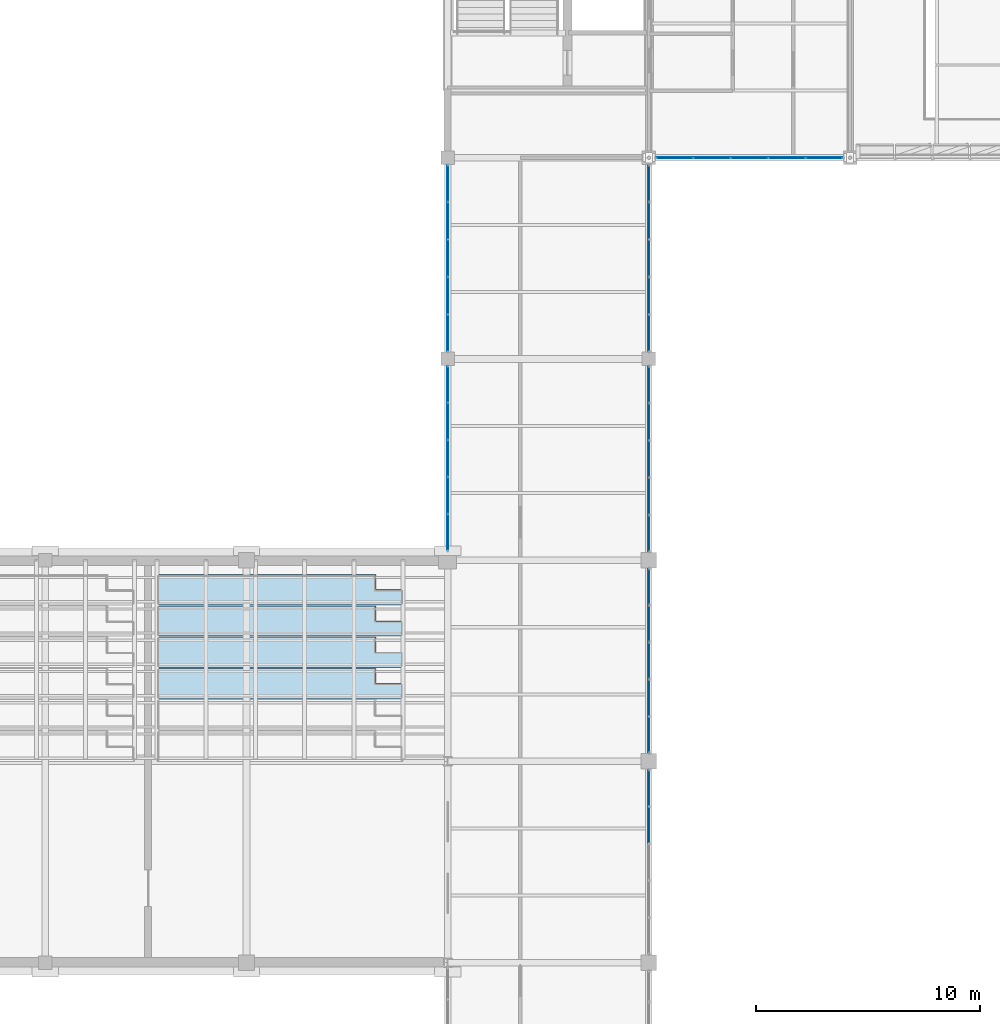
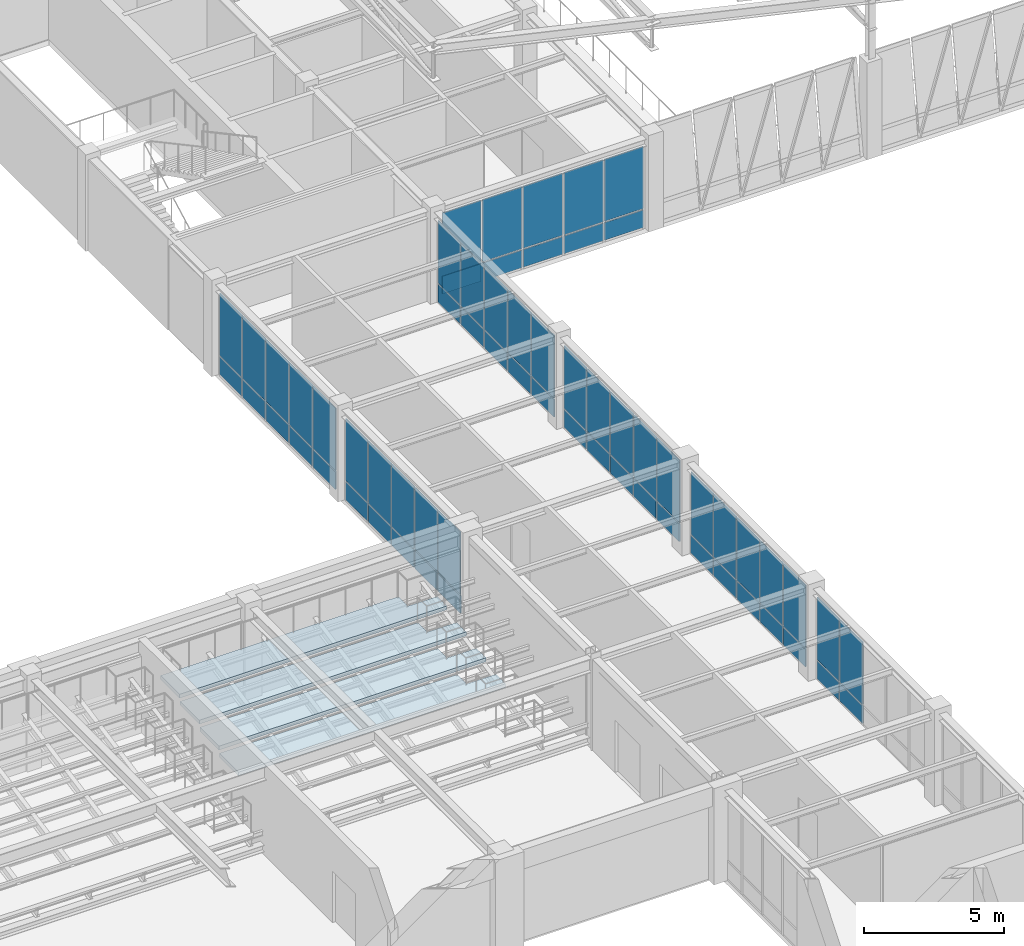
# One storey, part 102 of 130: 64 plates, 4 slabs, 7 elements without a shape of their own.
"""IFC4 building model written with IfcOpenShell, lengths in metres."""

from ifc_helpers import new_model, si_unit, direction, frame, origin, origin_2d, place, context, subcontext, project, spatial, polyline, rectangle, outline, extrude, material, layer, layer_set, type_object, element, aggregate, save


model = new_model("IFC4")

# Units and contexts
model_context = context("Model", 3, precision=1e-05, world=origin(), true_north=direction((0.0, 1.0)))
body_context = subcontext(model_context, "Body", "Model", "MODEL_VIEW")
ifc_project = project(units=[si_unit("LENGTHUNIT", "METRE"), si_unit("AREAUNIT", "SQUARE_METRE"), si_unit("VOLUMEUNIT", "CUBIC_METRE"), si_unit("PLANEANGLEUNIT", "RADIAN"), si_unit("MASSUNIT", "GRAM", prefix="KILO")], contexts=[model_context])

# Site, building, storey
site_placement = place(None, origin())
site = spatial("IfcSite", under=ifc_project, at=site_placement, CompositionType="ELEMENT")
building_placement = place(site_placement, origin())
building = spatial("IfcBuilding", under=site, at=building_placement, Name="Lykobir Media Centre", CompositionType="ELEMENT")
storey_placement = place(building_placement, frame((0.0, 0.0, 19.199951171875)))
storey = spatial("IfcBuildingStorey", under=building, at=storey_placement, Name="L04", CompositionType="ELEMENT", Elevation=19.199951171875)

# Curtain wall, plates
ifc_material_1 = material(Name="Anodized Aluminium AW-6060", Category="aluminium")
curtain_wall_type = type_object("IfcCurtainWallType", Name="CW-COURT-B", PredefinedType="NOTDEFINED", material=ifc_material_1)
curtain_wall_1_placement = place(storey_placement, origin())
curtain_wall_1 = element("IfcCurtainWall", 1, at=curtain_wall_1_placement, inside=storey, type_object=curtain_wall_type, Name="Curtain wall CW2-L04-0155", PredefinedType="NOTDEFINED")
ifc_material_2 = material(Name="Low-E Laminated Triple Glazing", Category="glass")
ifc_layer_1 = layer(ifc_material_2, 0.0380859375, Name="Low-E Laminated Triple Glazing")
ifc_layer_set_1 = layer_set([ifc_layer_1], Name="Low-E Laminated Triple Glazing")
plate_type_1 = type_object("IfcPlateType", Name="CWP-GLZ-38", PredefinedType="CURTAIN_PANEL", material=ifc_layer_set_1)
plate_1_placement = place(storey_placement, frame((36.0, 34.80224609375, 0.87744140625), z_axis=(0.0, 0.0, 1.0), x_axis=(0.0, -1.0, 0.0)))
plate_1 = element("IfcPlate", 2, at=plate_1_placement, type_object=plate_type_1, Name="CW2-L04-0155 panel 1.2", PredefinedType="CURTAIN_PANEL", context=body_context, shape_type="SweptSolid", body=[
    extrude(rectangle(XDim=1.575439453125, YDim=0.0380859375, at=origin_2d()), origin(), (0.0, 0.0, 1.0), 2.722412109375),
])
plate_2_placement = place(storey_placement, frame((36.0, 33.157958984375, 0.87744140625), z_axis=(0.0, 0.0, 1.0), x_axis=(0.0, -1.0, 0.0)))
plate_2 = element("IfcPlate", 3, at=plate_2_placement, type_object=plate_type_1, Name="CW2-L04-0155 panel 2.2", PredefinedType="CURTAIN_PANEL", context=body_context, shape_type="SweptSolid", body=[
    extrude(rectangle(XDim=1.60302734375, YDim=0.0380859375, at=origin_2d()), origin(), (0.0, 0.0, 1.0), 2.722412109375),
])

curtain_wall_2_placement = place(storey_placement, origin())
curtain_wall_2 = element("IfcCurtainWall", 4, at=curtain_wall_2_placement, inside=storey, type_object=curtain_wall_type, Name="Curtain wall CW2-L04-0156", PredefinedType="NOTDEFINED")
plate_3_placement = place(storey_placement, frame((36.0, 43.80224609375, 0.87744140625), z_axis=(0.0, 0.0, 1.0), x_axis=(0.0, -1.0, 0.0)))
plate_3 = element("IfcPlate", 5, at=plate_3_placement, type_object=plate_type_1, Name="CW2-L04-0156 panel 1.2", PredefinedType="CURTAIN_PANEL", context=body_context, shape_type="SweptSolid", body=[
    extrude(rectangle(XDim=1.575439453125, YDim=0.0380859375, at=origin_2d()), origin(), (0.0, 0.0, 1.0), 2.722412109375),
])
plate_4_placement = place(storey_placement, frame((36.0, 42.157958984375, 0.87744140625), z_axis=(0.0, 0.0, 1.0), x_axis=(0.0, -1.0, 0.0)))
plate_4 = element("IfcPlate", 6, at=plate_4_placement, type_object=plate_type_1, Name="CW2-L04-0156 panel 2.2", PredefinedType="CURTAIN_PANEL", context=body_context, shape_type="SweptSolid", body=[
    extrude(rectangle(XDim=1.60302734375, YDim=0.0380859375, at=origin_2d()), origin(), (0.0, 0.0, 1.0), 2.722412109375),
])
plate_5_placement = place(storey_placement, frame((36.0, 40.5, 0.87744140625), z_axis=(0.0, 0.0, 1.0), x_axis=(0.0, -1.0, 0.0)))
plate_5 = element("IfcPlate", 7, at=plate_5_placement, type_object=plate_type_1, Name="CW2-L04-0156 panel 3.2", PredefinedType="CURTAIN_PANEL", context=body_context, shape_type="SweptSolid", body=[
    extrude(rectangle(XDim=1.60302734375, YDim=0.0380859375, at=origin_2d()), origin(), (0.0, 0.0, 1.0), 2.722412109375),
])
plate_6_placement = place(storey_placement, frame((36.0, 38.842041015625, 0.87744140625), z_axis=(0.0, 0.0, 1.0), x_axis=(0.0, -1.0, 0.0)))
plate_6 = element("IfcPlate", 8, at=plate_6_placement, type_object=plate_type_1, Name="CW2-L04-0156 panel 4.2", PredefinedType="CURTAIN_PANEL", context=body_context, shape_type="SweptSolid", body=[
    extrude(rectangle(XDim=1.60302734375, YDim=0.0380859375, at=origin_2d()), origin(), (0.0, 0.0, 1.0), 2.722412109375),
])
plate_7_placement = place(storey_placement, frame((36.0, 37.19775390625, 0.87744140625), z_axis=(0.0, 0.0, 1.0), x_axis=(0.0, -1.0, 0.0)))
plate_7 = element("IfcPlate", 9, at=plate_7_placement, type_object=plate_type_1, Name="CW2-L04-0156 panel 5.2", PredefinedType="CURTAIN_PANEL", context=body_context, shape_type="SweptSolid", body=[
    extrude(rectangle(XDim=1.575439453125, YDim=0.0380859375, at=origin_2d()), origin(), (0.0, 0.0, 1.0), 2.722412109375),
])

curtain_wall_3_placement = place(storey_placement, origin())
curtain_wall_3 = element("IfcCurtainWall", 10, at=curtain_wall_3_placement, inside=storey, type_object=curtain_wall_type, Name="Curtain wall CW2-L04-0157", PredefinedType="NOTDEFINED")
plate_8_placement = place(storey_placement, frame((36.0, 52.847412109375, 0.87744140625), z_axis=(0.0, 0.0, 1.0), x_axis=(0.0, -1.0, 0.0)))
plate_8 = element("IfcPlate", 11, at=plate_8_placement, type_object=plate_type_1, Name="CW2-L04-0157 panel 1.2", PredefinedType="CURTAIN_PANEL", context=body_context, shape_type="SweptSolid", body=[
    extrude(rectangle(XDim=1.58544921875, YDim=0.0380859375, at=origin_2d()), origin(), (0.0, 0.0, 1.0), 2.722412109375),
])
plate_9_placement = place(storey_placement, frame((36.0, 51.193115234375, 0.87744140625), z_axis=(0.0, 0.0, 1.0), x_axis=(0.0, -1.0, 0.0)))
plate_9 = element("IfcPlate", 12, at=plate_9_placement, type_object=plate_type_1, Name="CW2-L04-0157 panel 2.2", PredefinedType="CURTAIN_PANEL", context=body_context, shape_type="SweptSolid", body=[
    extrude(rectangle(XDim=1.613037109375, YDim=0.0380859375, at=origin_2d()), origin(), (0.0, 0.0, 1.0), 2.722412109375),
])
plate_10_placement = place(storey_placement, frame((36.0, 49.52490234375, 0.87744140625), z_axis=(0.0, 0.0, 1.0), x_axis=(0.0, -1.0, 0.0)))
plate_10 = element("IfcPlate", 13, at=plate_10_placement, type_object=plate_type_1, Name="CW2-L04-0157 panel 3.2", PredefinedType="CURTAIN_PANEL", context=body_context, shape_type="SweptSolid", body=[
    extrude(rectangle(XDim=1.613037109375, YDim=0.0380859375, at=origin_2d()), origin(), (0.0, 0.0, 1.0), 2.722412109375),
])
plate_11_placement = place(storey_placement, frame((36.0, 47.85693359375, 0.87744140625), z_axis=(0.0, 0.0, 1.0), x_axis=(0.0, -1.0, 0.0)))
plate_11 = element("IfcPlate", 14, at=plate_11_placement, type_object=plate_type_1, Name="CW2-L04-0157 panel 4.2", PredefinedType="CURTAIN_PANEL", context=body_context, shape_type="SweptSolid", body=[
    extrude(rectangle(XDim=1.613037109375, YDim=0.0380859375, at=origin_2d()), origin(), (0.0, 0.0, 1.0), 2.722412109375),
])
plate_12_placement = place(storey_placement, frame((36.0, 46.20263671875, 0.87744140625), z_axis=(0.0, 0.0, 1.0), x_axis=(0.0, -1.0, 0.0)))
plate_12 = element("IfcPlate", 15, at=plate_12_placement, type_object=plate_type_1, Name="CW2-L04-0157 panel 5.2", PredefinedType="CURTAIN_PANEL", context=body_context, shape_type="SweptSolid", body=[
    extrude(rectangle(XDim=1.58544921875, YDim=0.0380859375, at=origin_2d()), origin(), (0.0, 0.0, 1.0), 2.722412109375),
])

curtain_wall_4_placement = place(storey_placement, origin())
curtain_wall_4 = element("IfcCurtainWall", 16, at=curtain_wall_4_placement, inside=storey, type_object=curtain_wall_type, Name="Curtain wall CW2-L04-0158", PredefinedType="NOTDEFINED")
plate_13_placement = place(storey_placement, frame((36.0, 61.84228515625, 0.87744140625), z_axis=(0.0, 0.0, 1.0), x_axis=(0.0, -1.0, 0.0)))
plate_13 = element("IfcPlate", 17, at=plate_13_placement, type_object=plate_type_1, Name="CW2-L04-0158 panel 1.2", PredefinedType="CURTAIN_PANEL", context=body_context, shape_type="SweptSolid", body=[
    extrude(rectangle(XDim=1.595458984375, YDim=0.0380859375, at=origin_2d()), origin(), (0.0, 0.0, 1.0), 2.722412109375),
])
plate_14_placement = place(storey_placement, frame((36.0, 60.177978515625, 0.87744140625), z_axis=(0.0, 0.0, 1.0), x_axis=(0.0, -1.0, 0.0)))
plate_14 = element("IfcPlate", 18, at=plate_14_placement, type_object=plate_type_1, Name="CW2-L04-0158 panel 2.2", PredefinedType="CURTAIN_PANEL", context=body_context, shape_type="SweptSolid", body=[
    extrude(rectangle(XDim=1.623046875, YDim=0.0380859375, at=origin_2d()), origin(), (0.0, 0.0, 1.0), 2.722412109375),
])
plate_15_placement = place(storey_placement, frame((36.0, 58.5, 0.87744140625), z_axis=(0.0, 0.0, 1.0), x_axis=(0.0, -1.0, 0.0)))
plate_15 = element("IfcPlate", 19, at=plate_15_placement, type_object=plate_type_1, Name="CW2-L04-0158 panel 3.2", PredefinedType="CURTAIN_PANEL", context=body_context, shape_type="SweptSolid", body=[
    extrude(rectangle(XDim=1.623046875, YDim=0.0380859375, at=origin_2d()), origin(), (0.0, 0.0, 1.0), 2.722412109375),
])
plate_16_placement = place(storey_placement, frame((36.0, 56.822021484375, 0.87744140625), z_axis=(0.0, 0.0, 1.0), x_axis=(0.0, -1.0, 0.0)))
plate_16 = element("IfcPlate", 20, at=plate_16_placement, type_object=plate_type_1, Name="CW2-L04-0158 panel 4.2", PredefinedType="CURTAIN_PANEL", context=body_context, shape_type="SweptSolid", body=[
    extrude(rectangle(XDim=1.623046875, YDim=0.0380859375, at=origin_2d()), origin(), (0.0, 0.0, 1.0), 2.722412109375),
])
plate_17_placement = place(storey_placement, frame((36.0, 55.15771484375, 0.87744140625), z_axis=(0.0, 0.0, 1.0), x_axis=(0.0, -1.0, 0.0)))
plate_17 = element("IfcPlate", 21, at=plate_17_placement, type_object=plate_type_1, Name="CW2-L04-0158 panel 5.2", PredefinedType="CURTAIN_PANEL", context=body_context, shape_type="SweptSolid", body=[
    extrude(rectangle(XDim=1.595458984375, YDim=0.0380859375, at=origin_2d()), origin(), (0.0, 0.0, 1.0), 2.722412109375),
])

curtain_wall_5_placement = place(storey_placement, origin())
curtain_wall_5 = element("IfcCurtainWall", 22, at=curtain_wall_5_placement, inside=storey, type_object=curtain_wall_type, Name="Curtain wall CW2-L04-0159", PredefinedType="NOTDEFINED")
plate_18_placement = place(storey_placement, frame((43.84228515625, 63.0, 0.87744140625), z_axis=(0.0, 0.0, 1.0), x_axis=(-1.0, 0.0, 0.0)))
plate_18 = element("IfcPlate", 23, at=plate_18_placement, type_object=plate_type_1, Name="CW2-L04-0159 panel 1.2", PredefinedType="CURTAIN_PANEL", context=body_context, shape_type="SweptSolid", body=[
    extrude(rectangle(XDim=1.595458984375, YDim=0.0380859375, at=origin_2d()), origin(), (0.0, 0.0, 1.0), 2.702392578125),
])
plate_19_placement = place(storey_placement, frame((42.177978515625, 63.0, 0.87744140625), z_axis=(0.0, 0.0, 1.0), x_axis=(-1.0, 0.0, 0.0)))
plate_19 = element("IfcPlate", 24, at=plate_19_placement, type_object=plate_type_1, Name="CW2-L04-0159 panel 2.2", PredefinedType="CURTAIN_PANEL", context=body_context, shape_type="SweptSolid", body=[
    extrude(rectangle(XDim=1.623046875, YDim=0.0380859375, at=origin_2d()), origin(), (0.0, 0.0, 1.0), 2.702392578125),
])
plate_20_placement = place(storey_placement, frame((40.5, 63.0, 0.87744140625), z_axis=(0.0, 0.0, 1.0), x_axis=(-1.0, 0.0, 0.0)))
plate_20 = element("IfcPlate", 25, at=plate_20_placement, type_object=plate_type_1, Name="CW2-L04-0159 panel 3.2", PredefinedType="CURTAIN_PANEL", context=body_context, shape_type="SweptSolid", body=[
    extrude(rectangle(XDim=1.623046875, YDim=0.0380859375, at=origin_2d()), origin(), (0.0, 0.0, 1.0), 2.702392578125),
])
plate_21_placement = place(storey_placement, frame((38.822021484375, 63.0, 0.87744140625), z_axis=(0.0, 0.0, 1.0), x_axis=(-1.0, 0.0, 0.0)))
plate_21 = element("IfcPlate", 26, at=plate_21_placement, type_object=plate_type_1, Name="CW2-L04-0159 panel 4.2", PredefinedType="CURTAIN_PANEL", context=body_context, shape_type="SweptSolid", body=[
    extrude(rectangle(XDim=1.623046875, YDim=0.0380859375, at=origin_2d()), origin(), (0.0, 0.0, 1.0), 2.702392578125),
])
plate_22_placement = place(storey_placement, frame((37.15771484375, 63.0, 0.87744140625), z_axis=(0.0, 0.0, 1.0), x_axis=(-1.0, 0.0, 0.0)))
plate_22 = element("IfcPlate", 27, at=plate_22_placement, type_object=plate_type_1, Name="CW2-L04-0159 panel 5.2", PredefinedType="CURTAIN_PANEL", context=body_context, shape_type="SweptSolid", body=[
    extrude(rectangle(XDim=1.595458984375, YDim=0.0380859375, at=origin_2d()), origin(), (0.0, 0.0, 1.0), 2.702392578125),
])

curtain_wall_6_placement = place(storey_placement, origin())
curtain_wall_6 = element("IfcCurtainWall", 28, at=curtain_wall_6_placement, inside=storey, type_object=curtain_wall_type, Name="Curtain wall CW2-L04-0167", PredefinedType="NOTDEFINED")
plate_23_placement = place(storey_placement, frame((27.0, 46.247802734375, 0.87744140625), z_axis=(0.0, 0.0, 1.0), x_axis=(0.0, 1.0, 0.0)))
plate_23 = element("IfcPlate", 29, at=plate_23_placement, type_object=plate_type_1, Name="CW2-L04-0167 panel 1.2", PredefinedType="CURTAIN_PANEL", context=body_context, shape_type="SweptSolid", body=[
    extrude(rectangle(XDim=1.575439453125, YDim=0.0380859375, at=origin_2d()), origin(), (0.0, 0.0, 1.0), 2.702392578125),
])
plate_24_placement = place(storey_placement, frame((27.0, 47.89208984375, 0.87744140625), z_axis=(0.0, 0.0, 1.0), x_axis=(0.0, 1.0, 0.0)))
plate_24 = element("IfcPlate", 30, at=plate_24_placement, type_object=plate_type_1, Name="CW2-L04-0167 panel 2.2", PredefinedType="CURTAIN_PANEL", context=body_context, shape_type="SweptSolid", body=[
    extrude(rectangle(XDim=1.60302734375, YDim=0.0380859375, at=origin_2d()), origin(), (0.0, 0.0, 1.0), 2.702392578125),
])
plate_25_placement = place(storey_placement, frame((27.0, 49.550048828125, 0.87744140625), z_axis=(0.0, 0.0, 1.0), x_axis=(0.0, 1.0, 0.0)))
plate_25 = element("IfcPlate", 31, at=plate_25_placement, type_object=plate_type_1, Name="CW2-L04-0167 panel 3.2", PredefinedType="CURTAIN_PANEL", context=body_context, shape_type="SweptSolid", body=[
    extrude(rectangle(XDim=1.60302734375, YDim=0.0380859375, at=origin_2d()), origin(), (0.0, 0.0, 1.0), 2.702392578125),
])
plate_26_placement = place(storey_placement, frame((27.0, 51.2080078125, 0.87744140625), z_axis=(0.0, 0.0, 1.0), x_axis=(0.0, 1.0, 0.0)))
plate_26 = element("IfcPlate", 32, at=plate_26_placement, type_object=plate_type_1, Name="CW2-L04-0167 panel 4.2", PredefinedType="CURTAIN_PANEL", context=body_context, shape_type="SweptSolid", body=[
    extrude(rectangle(XDim=1.60302734375, YDim=0.0380859375, at=origin_2d()), origin(), (0.0, 0.0, 1.0), 2.702392578125),
])
plate_27_placement = place(storey_placement, frame((27.0, 52.852294921875, 0.87744140625), z_axis=(0.0, 0.0, 1.0), x_axis=(0.0, 1.0, 0.0)))
plate_27 = element("IfcPlate", 33, at=plate_27_placement, type_object=plate_type_1, Name="CW2-L04-0167 panel 5.2", PredefinedType="CURTAIN_PANEL", context=body_context, shape_type="SweptSolid", body=[
    extrude(rectangle(XDim=1.575439453125, YDim=0.0380859375, at=origin_2d()), origin(), (0.0, 0.0, 1.0), 2.702392578125),
])

curtain_wall_7_placement = place(storey_placement, origin())
curtain_wall_7 = element("IfcCurtainWall", 34, at=curtain_wall_7_placement, inside=storey, type_object=curtain_wall_type, Name="Curtain wall CW2-L04-0168", PredefinedType="NOTDEFINED")
plate_28_placement = place(storey_placement, frame((27.0, 55.15771484375, 0.87744140625), z_axis=(0.0, 0.0, 1.0), x_axis=(0.0, 1.0, 0.0)))
plate_28 = element("IfcPlate", 35, at=plate_28_placement, type_object=plate_type_1, Name="CW2-L04-0168 panel 1.2", PredefinedType="CURTAIN_PANEL", context=body_context, shape_type="SweptSolid", body=[
    extrude(rectangle(XDim=1.595458984375, YDim=0.0380859375, at=origin_2d()), origin(), (0.0, 0.0, 1.0), 2.702392578125),
])
plate_29_placement = place(storey_placement, frame((27.0, 56.822021484375, 0.87744140625), z_axis=(0.0, 0.0, 1.0), x_axis=(0.0, 1.0, 0.0)))
plate_29 = element("IfcPlate", 36, at=plate_29_placement, type_object=plate_type_1, Name="CW2-L04-0168 panel 2.2", PredefinedType="CURTAIN_PANEL", context=body_context, shape_type="SweptSolid", body=[
    extrude(rectangle(XDim=1.623046875, YDim=0.0380859375, at=origin_2d()), origin(), (0.0, 0.0, 1.0), 2.702392578125),
])
plate_30_placement = place(storey_placement, frame((27.0, 58.5, 0.87744140625), z_axis=(0.0, 0.0, 1.0), x_axis=(0.0, 1.0, 0.0)))
plate_30 = element("IfcPlate", 37, at=plate_30_placement, type_object=plate_type_1, Name="CW2-L04-0168 panel 3.2", PredefinedType="CURTAIN_PANEL", context=body_context, shape_type="SweptSolid", body=[
    extrude(rectangle(XDim=1.623046875, YDim=0.0380859375, at=origin_2d()), origin(), (0.0, 0.0, 1.0), 2.702392578125),
])
plate_31_placement = place(storey_placement, frame((27.0, 60.177978515625, 0.87744140625), z_axis=(0.0, 0.0, 1.0), x_axis=(0.0, 1.0, 0.0)))
plate_31 = element("IfcPlate", 38, at=plate_31_placement, type_object=plate_type_1, Name="CW2-L04-0168 panel 4.2", PredefinedType="CURTAIN_PANEL", context=body_context, shape_type="SweptSolid", body=[
    extrude(rectangle(XDim=1.623046875, YDim=0.0380859375, at=origin_2d()), origin(), (0.0, 0.0, 1.0), 2.702392578125),
])
plate_32_placement = place(storey_placement, frame((27.0, 61.84228515625, 0.87744140625), z_axis=(0.0, 0.0, 1.0), x_axis=(0.0, 1.0, 0.0)))
plate_32 = element("IfcPlate", 39, at=plate_32_placement, type_object=plate_type_1, Name="CW2-L04-0168 panel 5.2", PredefinedType="CURTAIN_PANEL", context=body_context, shape_type="SweptSolid", body=[
    extrude(rectangle(XDim=1.595458984375, YDim=0.0380859375, at=origin_2d()), origin(), (0.0, 0.0, 1.0), 2.702392578125),
])

# Plate
ifc_material_3 = material(Name="Pre-Weathered Titanium-Zinc", Category="metal")
ifc_layer_2 = layer(ifc_material_3, 0.052001953125, Name="Pre-Weathered Titanium-Zinc")
ifc_layer_set_2 = layer_set([ifc_layer_2], Name="Pre-Weathered Titanium-Zinc")
plate_type_2 = type_object("IfcPlateType", Name="CWP-SPN-52", PredefinedType="CURTAIN_PANEL", material=ifc_layer_set_2)
plate_33_placement = place(storey_placement, frame((36.0, 34.80224609375, 0.054931640625), z_axis=(0.0, 0.0, 1.0), x_axis=(0.0, -1.0, 0.0)))
plate_33 = element("IfcPlate", 40, at=plate_33_placement, type_object=plate_type_2, Name="CW2-L04-0155 panel 1.1", PredefinedType="CURTAIN_PANEL", context=body_context, shape_type="SweptSolid", body=[
    extrude(rectangle(XDim=1.575439453125, YDim=0.052001953125, at=origin_2d()), origin(), (0.0, 0.0, 1.0), 0.767578125),
])

plate_34_placement = place(storey_placement, frame((36.0, 33.157958984375, 0.054931640625), z_axis=(0.0, 0.0, 1.0), x_axis=(0.0, -1.0, 0.0)))
plate_34 = element("IfcPlate", 41, at=plate_34_placement, type_object=plate_type_2, Name="CW2-L04-0155 panel 2.1", PredefinedType="CURTAIN_PANEL", context=body_context, shape_type="SweptSolid", body=[
    extrude(rectangle(XDim=1.60302734375, YDim=0.052001953125, at=origin_2d()), origin(), (0.0, 0.0, 1.0), 0.767578125),
])

aggregate(curtain_wall_1, [plate_33, plate_1, plate_34, plate_2])

plate_35_placement = place(storey_placement, frame((36.0, 43.80224609375, 0.054931640625), z_axis=(0.0, 0.0, 1.0), x_axis=(0.0, -1.0, 0.0)))
plate_35 = element("IfcPlate", 42, at=plate_35_placement, type_object=plate_type_2, Name="CW2-L04-0156 panel 1.1", PredefinedType="CURTAIN_PANEL", context=body_context, shape_type="SweptSolid", body=[
    extrude(rectangle(XDim=1.575439453125, YDim=0.052001953125, at=origin_2d()), origin(), (0.0, 0.0, 1.0), 0.767578125),
])

plate_36_placement = place(storey_placement, frame((36.0, 42.157958984375, 0.054931640625), z_axis=(0.0, 0.0, 1.0), x_axis=(0.0, -1.0, 0.0)))
plate_36 = element("IfcPlate", 43, at=plate_36_placement, type_object=plate_type_2, Name="CW2-L04-0156 panel 2.1", PredefinedType="CURTAIN_PANEL", context=body_context, shape_type="SweptSolid", body=[
    extrude(rectangle(XDim=1.60302734375, YDim=0.052001953125, at=origin_2d()), origin(), (0.0, 0.0, 1.0), 0.767578125),
])

plate_37_placement = place(storey_placement, frame((36.0, 40.5, 0.054931640625), z_axis=(0.0, 0.0, 1.0), x_axis=(0.0, -1.0, 0.0)))
plate_37 = element("IfcPlate", 44, at=plate_37_placement, type_object=plate_type_2, Name="CW2-L04-0156 panel 3.1", PredefinedType="CURTAIN_PANEL", context=body_context, shape_type="SweptSolid", body=[
    extrude(rectangle(XDim=1.60302734375, YDim=0.052001953125, at=origin_2d()), origin(), (0.0, 0.0, 1.0), 0.767578125),
])

plate_38_placement = place(storey_placement, frame((36.0, 38.842041015625, 0.054931640625), z_axis=(0.0, 0.0, 1.0), x_axis=(0.0, -1.0, 0.0)))
plate_38 = element("IfcPlate", 45, at=plate_38_placement, type_object=plate_type_2, Name="CW2-L04-0156 panel 4.1", PredefinedType="CURTAIN_PANEL", context=body_context, shape_type="SweptSolid", body=[
    extrude(rectangle(XDim=1.60302734375, YDim=0.052001953125, at=origin_2d()), origin(), (0.0, 0.0, 1.0), 0.767578125),
])

plate_39_placement = place(storey_placement, frame((36.0, 37.19775390625, 0.054931640625), z_axis=(0.0, 0.0, 1.0), x_axis=(0.0, -1.0, 0.0)))
plate_39 = element("IfcPlate", 46, at=plate_39_placement, type_object=plate_type_2, Name="CW2-L04-0156 panel 5.1", PredefinedType="CURTAIN_PANEL", context=body_context, shape_type="SweptSolid", body=[
    extrude(rectangle(XDim=1.575439453125, YDim=0.052001953125, at=origin_2d()), origin(), (0.0, 0.0, 1.0), 0.767578125),
])

aggregate(curtain_wall_2, [plate_35, plate_3, plate_36, plate_4, plate_37, plate_5, plate_38, plate_6, plate_39, plate_7])

plate_40_placement = place(storey_placement, frame((36.0, 52.847412109375, 0.054931640625), z_axis=(0.0, 0.0, 1.0), x_axis=(0.0, -1.0, 0.0)))
plate_40 = element("IfcPlate", 47, at=plate_40_placement, type_object=plate_type_2, Name="CW2-L04-0157 panel 1.1", PredefinedType="CURTAIN_PANEL", context=body_context, shape_type="SweptSolid", body=[
    extrude(rectangle(XDim=1.58544921875, YDim=0.052001953125, at=origin_2d()), origin(), (0.0, 0.0, 1.0), 0.767578125),
])

plate_41_placement = place(storey_placement, frame((36.0, 51.193115234375, 0.054931640625), z_axis=(0.0, 0.0, 1.0), x_axis=(0.0, -1.0, 0.0)))
plate_41 = element("IfcPlate", 48, at=plate_41_placement, type_object=plate_type_2, Name="CW2-L04-0157 panel 2.1", PredefinedType="CURTAIN_PANEL", context=body_context, shape_type="SweptSolid", body=[
    extrude(rectangle(XDim=1.613037109375, YDim=0.052001953125, at=origin_2d()), origin(), (0.0, 0.0, 1.0), 0.767578125),
])

plate_42_placement = place(storey_placement, frame((36.0, 49.52490234375, 0.054931640625), z_axis=(0.0, 0.0, 1.0), x_axis=(0.0, -1.0, 0.0)))
plate_42 = element("IfcPlate", 49, at=plate_42_placement, type_object=plate_type_2, Name="CW2-L04-0157 panel 3.1", PredefinedType="CURTAIN_PANEL", context=body_context, shape_type="SweptSolid", body=[
    extrude(rectangle(XDim=1.613037109375, YDim=0.052001953125, at=origin_2d()), origin(), (0.0, 0.0, 1.0), 0.767578125),
])

plate_43_placement = place(storey_placement, frame((36.0, 47.85693359375, 0.054931640625), z_axis=(0.0, 0.0, 1.0), x_axis=(0.0, -1.0, 0.0)))
plate_43 = element("IfcPlate", 50, at=plate_43_placement, type_object=plate_type_2, Name="CW2-L04-0157 panel 4.1", PredefinedType="CURTAIN_PANEL", context=body_context, shape_type="SweptSolid", body=[
    extrude(rectangle(XDim=1.613037109375, YDim=0.052001953125, at=origin_2d()), origin(), (0.0, 0.0, 1.0), 0.767578125),
])

plate_44_placement = place(storey_placement, frame((36.0, 46.20263671875, 0.054931640625), z_axis=(0.0, 0.0, 1.0), x_axis=(0.0, -1.0, 0.0)))
plate_44 = element("IfcPlate", 51, at=plate_44_placement, type_object=plate_type_2, Name="CW2-L04-0157 panel 5.1", PredefinedType="CURTAIN_PANEL", context=body_context, shape_type="SweptSolid", body=[
    extrude(rectangle(XDim=1.58544921875, YDim=0.052001953125, at=origin_2d()), origin(), (0.0, 0.0, 1.0), 0.767578125),
])

aggregate(curtain_wall_3, [plate_40, plate_8, plate_41, plate_9, plate_42, plate_10, plate_43, plate_11, plate_44, plate_12])

plate_45_placement = place(storey_placement, frame((36.0, 61.84228515625, 0.054931640625), z_axis=(0.0, 0.0, 1.0), x_axis=(0.0, -1.0, 0.0)))
plate_45 = element("IfcPlate", 52, at=plate_45_placement, type_object=plate_type_2, Name="CW2-L04-0158 panel 1.1", PredefinedType="CURTAIN_PANEL", context=body_context, shape_type="SweptSolid", body=[
    extrude(rectangle(XDim=1.595458984375, YDim=0.052001953125, at=origin_2d()), origin(), (0.0, 0.0, 1.0), 0.767578125),
])

plate_46_placement = place(storey_placement, frame((36.0, 60.177978515625, 0.054931640625), z_axis=(0.0, 0.0, 1.0), x_axis=(0.0, -1.0, 0.0)))
plate_46 = element("IfcPlate", 53, at=plate_46_placement, type_object=plate_type_2, Name="CW2-L04-0158 panel 2.1", PredefinedType="CURTAIN_PANEL", context=body_context, shape_type="SweptSolid", body=[
    extrude(rectangle(XDim=1.623046875, YDim=0.052001953125, at=origin_2d()), origin(), (0.0, 0.0, 1.0), 0.767578125),
])

plate_47_placement = place(storey_placement, frame((36.0, 58.5, 0.054931640625), z_axis=(0.0, 0.0, 1.0), x_axis=(0.0, -1.0, 0.0)))
plate_47 = element("IfcPlate", 54, at=plate_47_placement, type_object=plate_type_2, Name="CW2-L04-0158 panel 3.1", PredefinedType="CURTAIN_PANEL", context=body_context, shape_type="SweptSolid", body=[
    extrude(rectangle(XDim=1.623046875, YDim=0.052001953125, at=origin_2d()), origin(), (0.0, 0.0, 1.0), 0.767578125),
])

plate_48_placement = place(storey_placement, frame((36.0, 56.822021484375, 0.054931640625), z_axis=(0.0, 0.0, 1.0), x_axis=(0.0, -1.0, 0.0)))
plate_48 = element("IfcPlate", 55, at=plate_48_placement, type_object=plate_type_2, Name="CW2-L04-0158 panel 4.1", PredefinedType="CURTAIN_PANEL", context=body_context, shape_type="SweptSolid", body=[
    extrude(rectangle(XDim=1.623046875, YDim=0.052001953125, at=origin_2d()), origin(), (0.0, 0.0, 1.0), 0.767578125),
])

plate_49_placement = place(storey_placement, frame((36.0, 55.15771484375, 0.054931640625), z_axis=(0.0, 0.0, 1.0), x_axis=(0.0, -1.0, 0.0)))
plate_49 = element("IfcPlate", 56, at=plate_49_placement, type_object=plate_type_2, Name="CW2-L04-0158 panel 5.1", PredefinedType="CURTAIN_PANEL", context=body_context, shape_type="SweptSolid", body=[
    extrude(rectangle(XDim=1.595458984375, YDim=0.052001953125, at=origin_2d()), origin(), (0.0, 0.0, 1.0), 0.767578125),
])

aggregate(curtain_wall_4, [plate_45, plate_13, plate_46, plate_14, plate_47, plate_15, plate_48, plate_16, plate_49, plate_17])

plate_50_placement = place(storey_placement, frame((43.84228515625, 63.0, 0.054931640625), z_axis=(0.0, 0.0, 1.0), x_axis=(-1.0, 0.0, 0.0)))
plate_50 = element("IfcPlate", 57, at=plate_50_placement, type_object=plate_type_2, Name="CW2-L04-0159 panel 1.1", PredefinedType="CURTAIN_PANEL", context=body_context, shape_type="SweptSolid", body=[
    extrude(rectangle(XDim=1.595458984375, YDim=0.052001953125, at=origin_2d()), origin(), (0.0, 0.0, 1.0), 0.767578125),
])

plate_51_placement = place(storey_placement, frame((42.177978515625, 63.0, 0.054931640625), z_axis=(0.0, 0.0, 1.0), x_axis=(-1.0, 0.0, 0.0)))
plate_51 = element("IfcPlate", 58, at=plate_51_placement, type_object=plate_type_2, Name="CW2-L04-0159 panel 2.1", PredefinedType="CURTAIN_PANEL", context=body_context, shape_type="SweptSolid", body=[
    extrude(rectangle(XDim=1.623046875, YDim=0.052001953125, at=origin_2d()), origin(), (0.0, 0.0, 1.0), 0.767578125),
])

plate_52_placement = place(storey_placement, frame((40.5, 63.0, 0.054931640625), z_axis=(0.0, 0.0, 1.0), x_axis=(-1.0, 0.0, 0.0)))
plate_52 = element("IfcPlate", 59, at=plate_52_placement, type_object=plate_type_2, Name="CW2-L04-0159 panel 3.1", PredefinedType="CURTAIN_PANEL", context=body_context, shape_type="SweptSolid", body=[
    extrude(rectangle(XDim=1.623046875, YDim=0.052001953125, at=origin_2d()), origin(), (0.0, 0.0, 1.0), 0.767578125),
])

plate_53_placement = place(storey_placement, frame((38.822021484375, 63.0, 0.054931640625), z_axis=(0.0, 0.0, 1.0), x_axis=(-1.0, 0.0, 0.0)))
plate_53 = element("IfcPlate", 60, at=plate_53_placement, type_object=plate_type_2, Name="CW2-L04-0159 panel 4.1", PredefinedType="CURTAIN_PANEL", context=body_context, shape_type="SweptSolid", body=[
    extrude(rectangle(XDim=1.623046875, YDim=0.052001953125, at=origin_2d()), origin(), (0.0, 0.0, 1.0), 0.767578125),
])

plate_54_placement = place(storey_placement, frame((37.15771484375, 63.0, 0.054931640625), z_axis=(0.0, 0.0, 1.0), x_axis=(-1.0, 0.0, 0.0)))
plate_54 = element("IfcPlate", 61, at=plate_54_placement, type_object=plate_type_2, Name="CW2-L04-0159 panel 5.1", PredefinedType="CURTAIN_PANEL", context=body_context, shape_type="SweptSolid", body=[
    extrude(rectangle(XDim=1.595458984375, YDim=0.052001953125, at=origin_2d()), origin(), (0.0, 0.0, 1.0), 0.767578125),
])

aggregate(curtain_wall_5, [plate_50, plate_18, plate_51, plate_19, plate_52, plate_20, plate_53, plate_21, plate_54, plate_22])

plate_55_placement = place(storey_placement, frame((27.0, 46.247802734375, 0.054931640625), z_axis=(0.0, 0.0, 1.0), x_axis=(0.0, 1.0, 0.0)))
plate_55 = element("IfcPlate", 62, at=plate_55_placement, type_object=plate_type_2, Name="CW2-L04-0167 panel 1.1", PredefinedType="CURTAIN_PANEL", context=body_context, shape_type="SweptSolid", body=[
    extrude(rectangle(XDim=1.575439453125, YDim=0.052001953125, at=origin_2d()), origin(), (0.0, 0.0, 1.0), 0.767578125),
])

plate_56_placement = place(storey_placement, frame((27.0, 47.89208984375, 0.054931640625), z_axis=(0.0, 0.0, 1.0), x_axis=(0.0, 1.0, 0.0)))
plate_56 = element("IfcPlate", 63, at=plate_56_placement, type_object=plate_type_2, Name="CW2-L04-0167 panel 2.1", PredefinedType="CURTAIN_PANEL", context=body_context, shape_type="SweptSolid", body=[
    extrude(rectangle(XDim=1.60302734375, YDim=0.052001953125, at=origin_2d()), origin(), (0.0, 0.0, 1.0), 0.767578125),
])

plate_57_placement = place(storey_placement, frame((27.0, 49.550048828125, 0.054931640625), z_axis=(0.0, 0.0, 1.0), x_axis=(0.0, 1.0, 0.0)))
plate_57 = element("IfcPlate", 64, at=plate_57_placement, type_object=plate_type_2, Name="CW2-L04-0167 panel 3.1", PredefinedType="CURTAIN_PANEL", context=body_context, shape_type="SweptSolid", body=[
    extrude(rectangle(XDim=1.60302734375, YDim=0.052001953125, at=origin_2d()), origin(), (0.0, 0.0, 1.0), 0.767578125),
])

plate_58_placement = place(storey_placement, frame((27.0, 51.2080078125, 0.054931640625), z_axis=(0.0, 0.0, 1.0), x_axis=(0.0, 1.0, 0.0)))
plate_58 = element("IfcPlate", 65, at=plate_58_placement, type_object=plate_type_2, Name="CW2-L04-0167 panel 4.1", PredefinedType="CURTAIN_PANEL", context=body_context, shape_type="SweptSolid", body=[
    extrude(rectangle(XDim=1.60302734375, YDim=0.052001953125, at=origin_2d()), origin(), (0.0, 0.0, 1.0), 0.767578125),
])

plate_59_placement = place(storey_placement, frame((27.0, 52.852294921875, 0.054931640625), z_axis=(0.0, 0.0, 1.0), x_axis=(0.0, 1.0, 0.0)))
plate_59 = element("IfcPlate", 66, at=plate_59_placement, type_object=plate_type_2, Name="CW2-L04-0167 panel 5.1", PredefinedType="CURTAIN_PANEL", context=body_context, shape_type="SweptSolid", body=[
    extrude(rectangle(XDim=1.575439453125, YDim=0.052001953125, at=origin_2d()), origin(), (0.0, 0.0, 1.0), 0.767578125),
])

aggregate(curtain_wall_6, [plate_55, plate_23, plate_56, plate_24, plate_57, plate_25, plate_58, plate_26, plate_59, plate_27])

plate_60_placement = place(storey_placement, frame((27.0, 55.15771484375, 0.054931640625), z_axis=(0.0, 0.0, 1.0), x_axis=(0.0, 1.0, 0.0)))
plate_60 = element("IfcPlate", 67, at=plate_60_placement, type_object=plate_type_2, Name="CW2-L04-0168 panel 1.1", PredefinedType="CURTAIN_PANEL", context=body_context, shape_type="SweptSolid", body=[
    extrude(rectangle(XDim=1.595458984375, YDim=0.052001953125, at=origin_2d()), origin(), (0.0, 0.0, 1.0), 0.767578125),
])

plate_61_placement = place(storey_placement, frame((27.0, 56.822021484375, 0.054931640625), z_axis=(0.0, 0.0, 1.0), x_axis=(0.0, 1.0, 0.0)))
plate_61 = element("IfcPlate", 68, at=plate_61_placement, type_object=plate_type_2, Name="CW2-L04-0168 panel 2.1", PredefinedType="CURTAIN_PANEL", context=body_context, shape_type="SweptSolid", body=[
    extrude(rectangle(XDim=1.623046875, YDim=0.052001953125, at=origin_2d()), origin(), (0.0, 0.0, 1.0), 0.767578125),
])

plate_62_placement = place(storey_placement, frame((27.0, 58.5, 0.054931640625), z_axis=(0.0, 0.0, 1.0), x_axis=(0.0, 1.0, 0.0)))
plate_62 = element("IfcPlate", 69, at=plate_62_placement, type_object=plate_type_2, Name="CW2-L04-0168 panel 3.1", PredefinedType="CURTAIN_PANEL", context=body_context, shape_type="SweptSolid", body=[
    extrude(rectangle(XDim=1.623046875, YDim=0.052001953125, at=origin_2d()), origin(), (0.0, 0.0, 1.0), 0.767578125),
])

plate_63_placement = place(storey_placement, frame((27.0, 60.177978515625, 0.054931640625), z_axis=(0.0, 0.0, 1.0), x_axis=(0.0, 1.0, 0.0)))
plate_63 = element("IfcPlate", 70, at=plate_63_placement, type_object=plate_type_2, Name="CW2-L04-0168 panel 4.1", PredefinedType="CURTAIN_PANEL", context=body_context, shape_type="SweptSolid", body=[
    extrude(rectangle(XDim=1.623046875, YDim=0.052001953125, at=origin_2d()), origin(), (0.0, 0.0, 1.0), 0.767578125),
])

plate_64_placement = place(storey_placement, frame((27.0, 61.84228515625, 0.054931640625), z_axis=(0.0, 0.0, 1.0), x_axis=(0.0, 1.0, 0.0)))
plate_64 = element("IfcPlate", 71, at=plate_64_placement, type_object=plate_type_2, Name="CW2-L04-0168 panel 5.1", PredefinedType="CURTAIN_PANEL", context=body_context, shape_type="SweptSolid", body=[
    extrude(rectangle(XDim=1.595458984375, YDim=0.052001953125, at=origin_2d()), origin(), (0.0, 0.0, 1.0), 0.767578125),
])

aggregate(curtain_wall_7, [plate_60, plate_28, plate_61, plate_29, plate_62, plate_30, plate_63, plate_31, plate_64, plate_32])

# Slabs
ifc_material_4 = material(Name="Concrete C30/37", Category="concrete")
ifc_layer_3 = layer(ifc_material_4, 0.1650390625, Name="Concrete C30/37")
ifc_layer_set_3 = layer_set([ifc_layer_3], Name="Concrete C30/37")
slab_type = type_object("IfcSlabType", Name="ST-TIER-165", PredefinedType="USERDEFINED", material=ifc_layer_set_3)
slab_1_placement = place(storey_placement, frame((0.0, 0.0, 1.554931640625)))
element("IfcSlab", 72, at=slab_1_placement, inside=storey, type_object=slab_type, Name="SCR7 raked seating tier 3", ObjectType="SEATING TIER", PredefinedType="USERDEFINED", context=body_context, shape_type="SweptSolid", body=[
    extrude(outline(polyline([(14.0, 38.800048828125), (25.0, 38.800048828125), (25.0, 39.47998046875), (23.800048828125, 39.47998046875), (23.800048828125, 40.159912109375), (14.0, 40.159912109375), (14.0, 38.800048828125)])), origin(), (0.0, 0.0, 1.0), 0.1650390625),
])
slab_2_placement = place(storey_placement, frame((0.0, 0.0, 1.8349609375)))
element("IfcSlab", 73, at=slab_2_placement, inside=storey, type_object=slab_type, Name="SCR7 raked seating tier 4", ObjectType="SEATING TIER", PredefinedType="USERDEFINED", context=body_context, shape_type="SweptSolid", body=[
    extrude(outline(polyline([(14.0, 40.199951171875), (25.0, 40.199951171875), (25.0, 40.8798828125), (23.800048828125, 40.8798828125), (23.800048828125, 41.56005859375), (14.0, 41.56005859375), (14.0, 40.199951171875)])), origin(), (0.0, 0.0, 1.0), 0.1650390625),
])
slab_3_placement = place(storey_placement, frame((0.0, 0.0, 2.114990234375)))
element("IfcSlab", 74, at=slab_3_placement, inside=storey, type_object=slab_type, Name="SCR7 raked seating tier 5", ObjectType="SEATING TIER", PredefinedType="USERDEFINED", context=body_context, shape_type="SweptSolid", body=[
    extrude(outline(polyline([(14.0, 41.60009765625), (25.0, 41.60009765625), (25.0, 42.280029296875), (23.800048828125, 42.280029296875), (23.800048828125, 42.9599609375), (14.0, 42.9599609375), (14.0, 41.60009765625)])), origin(), (0.0, 0.0, 1.0), 0.1650390625),
])
slab_4_placement = place(storey_placement, frame((0.0, 0.0, 2.39501953125)))
element("IfcSlab", 75, at=slab_4_placement, inside=storey, type_object=slab_type, Name="SCR7 raked seating tier 6", ObjectType="SEATING TIER", PredefinedType="USERDEFINED", context=body_context, shape_type="SweptSolid", body=[
    extrude(outline(polyline([(14.0, 43.0), (25.0, 43.0), (25.0, 43.679931640625), (23.800048828125, 43.679931640625), (23.800048828125, 44.360107421875), (14.0, 44.360107421875), (14.0, 43.0)])), origin(), (0.0, 0.0, 1.0), 0.1650390625),
])

save(model, "model.ifc")
